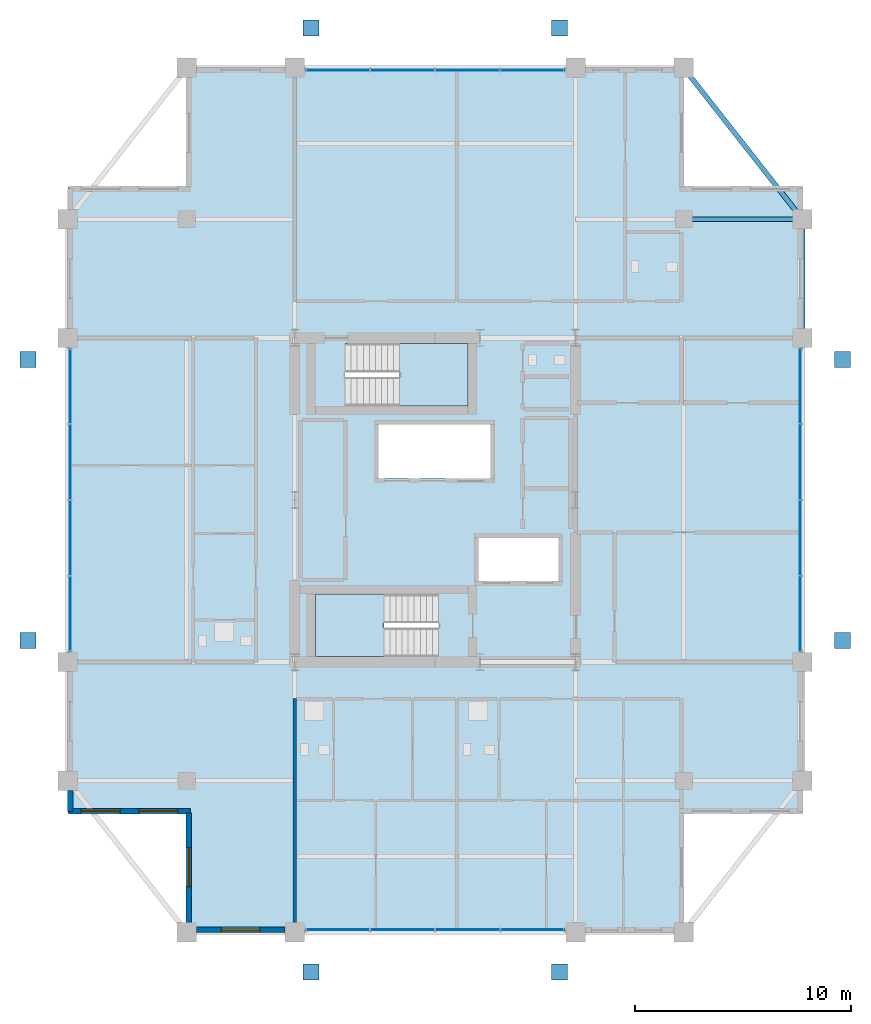
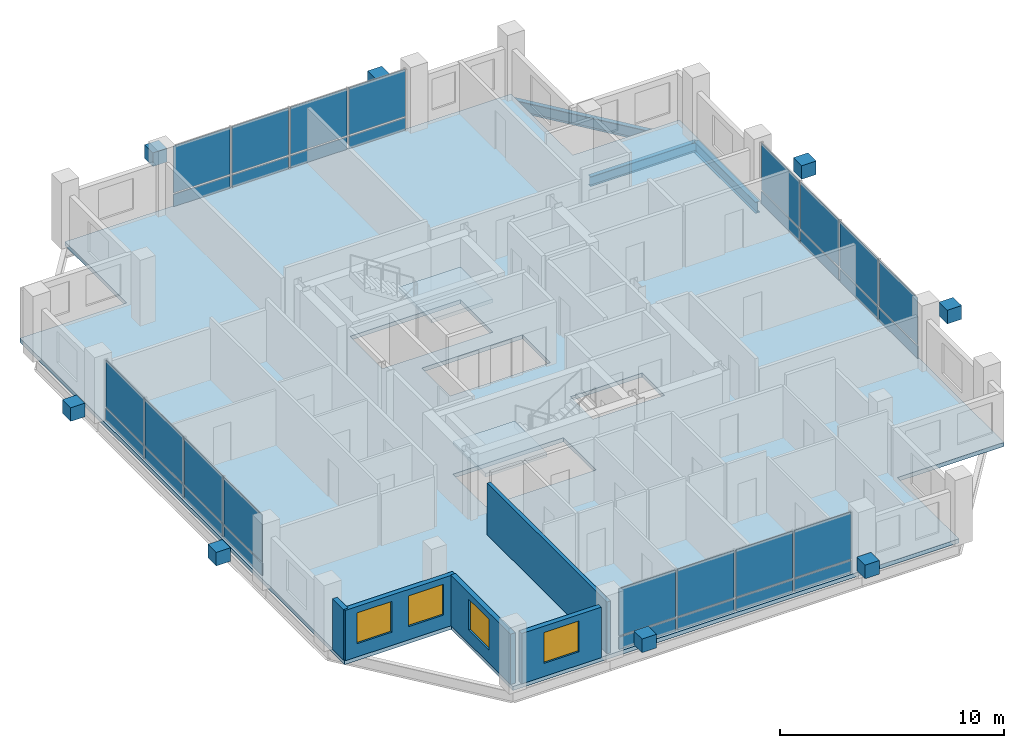
# One storey, part 15 of 21: 40 plates, 5 walls, 4 windows, 3 beams, 3 slabs, 4 openings, 6 elements without a shape of their own.
"""IFC4 building model written with IfcOpenShell, lengths in metres."""

import ifcopenshell
import ifcopenshell.guid

model = None  # the IFC model being written
_history = None  # IfcOwnerHistory: only IFC2X3 demands one
_inside = {}  # id of a spatial element -> (the spatial element, [elements in it])
_under = {}  # id of a project, library or spatial element -> (it, [spatial elements below it])
_declared = {}  # id of a project -> (the project, [libraries it declares])
_typed = {}  # id of a type object -> (the type object, [elements of that type])
_made_of = {}  # id of a material, layer set ... -> (it, [elements and type objects made of it])


def new_model(schema):
    """Start an empty IFC model of exactly this schema.

    Asked for "IFC4X3", IfcOpenShell would pick the latest addendum, in which some entities
    have other attributes; the version numbers below select the first issue.
    IFC2X3 requires an IfcOwnerHistory on every rooted entity: one is made here for all.
    """
    global model, _history
    if schema == "IFC4X3":
        model = ifcopenshell.file(schema_version=(4, 3, 0, 0))
    else:
        model = ifcopenshell.file(schema=schema)
    _inside.clear()
    _under.clear()
    _declared.clear()
    _typed.clear()
    _made_of.clear()
    _history = None
    if model.schema == "IFC2X3":
        org = make("IfcOrganization", Name="unknown")
        user = make(
            "IfcPersonAndOrganization",
            ThePerson=make("IfcPerson", FamilyName="unknown"),
            TheOrganization=org,
        )
        app = make(
            "IfcApplication",
            ApplicationDeveloper=org,
            Version="unknown",
            ApplicationFullName="unknown",
            ApplicationIdentifier="unknown",
        )
        _history = make(
            "IfcOwnerHistory",
            OwningUser=user,
            OwningApplication=app,
            ChangeAction="ADDED",
            CreationDate=0,
        )
    return model


def make(cls, **values):
    """One entity of the class cls with the attributes given. An attribute that is None is left unset."""
    return model.create_entity(
        cls, **{name: value for name, value in values.items() if value is not None}
    )


def rooted(cls, **values):
    """An entity with a GlobalId (a new one), such as an element, a storey or a relation."""
    return make(cls, GlobalId=ifcopenshell.guid.new(), OwnerHistory=_history, **values)


def si_unit(unit_type, name, prefix=None):
    """IfcSIUnit, for example si_unit("LENGTHUNIT", "METRE", prefix="MILLI")."""
    return make("IfcSIUnit", UnitType=unit_type, Prefix=prefix, Name=name)


def assignment(units):
    """IfcUnitAssignment: the units of a project."""
    return None if units is None else make("IfcUnitAssignment", Units=units)


def point(xyz):
    """IfcCartesianPoint."""
    return None if xyz is None else make("IfcCartesianPoint", Coordinates=xyz)


def direction(xyz):
    """IfcDirection."""
    return None if xyz is None else make("IfcDirection", DirectionRatios=xyz)


def frame(location, z_axis=None, x_axis=None):
    """IfcAxis2Placement3D, a coordinate frame: its origin and axes. An axis left out is left unset."""
    return make(
        "IfcAxis2Placement3D",
        Location=point(location),
        Axis=direction(z_axis),
        RefDirection=direction(x_axis),
    )


def frame_2d(location, x_axis=None):
    """IfcAxis2Placement2D, a coordinate frame in the plane: its origin and x axis."""
    return make(
        "IfcAxis2Placement2D", Location=point(location), RefDirection=direction(x_axis)
    )


def origin():
    """The frame at (0, 0, 0) with its axes left unset."""
    return frame((0.0, 0.0, 0.0))


def origin_2d():
    """The frame at (0, 0) in the plane with its x axis left unset."""
    return frame_2d((0.0, 0.0))


def place(relative_to, where):
    """IfcLocalPlacement: puts the frame where relative to a parent placement (None: the world)."""
    return make(
        "IfcLocalPlacement", PlacementRelTo=relative_to, RelativePlacement=where
    )


def context(
    kind, dimensions, precision=None, world=None, true_north=None, identifier=None
):
    """IfcGeometricRepresentationContext, for example the 3D "Model" context."""
    return make(
        "IfcGeometricRepresentationContext",
        ContextIdentifier=identifier,
        ContextType=kind,
        CoordinateSpaceDimension=dimensions,
        Precision=precision,
        WorldCoordinateSystem=world,
        TrueNorth=true_north,
    )


def subcontext(parent, identifier, kind, view, scale=None):
    """IfcGeometricRepresentationSubContext, for example "Body" below "Model"."""
    return make(
        "IfcGeometricRepresentationSubContext",
        ContextIdentifier=identifier,
        ContextType=kind,
        ParentContext=parent,
        TargetScale=scale,
        TargetView=view,
    )


def project(units=None, contexts=None):
    """IfcProject with its units and contexts."""
    return rooted(
        "IfcProject",
        Name="project",
        RepresentationContexts=contexts,
        UnitsInContext=assignment(units),
    )


def spatial(cls, under=None, at=None, **own):
    """A site, building, storey or space (cls), placed at a placement, below another one or the project."""
    s = rooted(cls, ObjectPlacement=at, **own)
    if under is not None:
        _under.setdefault(under.id(), (under, []))[1].append(s)
    return s


def polyline(points):
    """IfcPolyline through the points."""
    return make("IfcPolyline", Points=[point(p) for p in points])


def profile(cls, at=None, kind="AREA", **sizes):
    """A parametric profile (cls). Its sizes go by their IFC names, for example OverallWidth=200.0."""
    return make(cls, ProfileType=kind, Position=at, **sizes)


def rectangle(**sizes):
    """IfcRectangleProfileDef."""
    return profile("IfcRectangleProfileDef", **sizes)


def i_section(**sizes):
    """IfcIShapeProfileDef."""
    return profile("IfcIShapeProfileDef", **sizes)


def outline(outer, holes=None, kind="AREA"):
    """IfcArbitraryClosedProfileDef: a profile drawn as a closed curve; with holes, ...WithVoids."""
    if holes is None:
        return make("IfcArbitraryClosedProfileDef", ProfileType=kind, OuterCurve=outer)
    return make(
        "IfcArbitraryProfileDefWithVoids",
        ProfileType=kind,
        OuterCurve=outer,
        InnerCurves=holes,
    )


def extrude(swept, where, along, depth):
    """IfcExtrudedAreaSolid: the profile swept, set in the frame where, extruded along a direction by depth."""
    return make(
        "IfcExtrudedAreaSolid",
        SweptArea=swept,
        Position=where,
        ExtrudedDirection=direction(along),
        Depth=depth,
    )


def shape(context_of_items, identifier, shape_type, items):
    """IfcShapeRepresentation: the items that make up one representation, for example the "Body"."""
    return make(
        "IfcShapeRepresentation",
        ContextOfItems=context_of_items,
        RepresentationIdentifier=identifier,
        RepresentationType=shape_type,
        Items=items,
    )


def material(Name=None, Category=None):
    """IfcMaterial."""
    return make("IfcMaterial", Name=Name, Category=Category)


def layer(
    of_material, thickness, ventilated=None, Name=None, Category=None, Priority=None
):
    """IfcMaterialLayer: one layer of a wall or slab, of a material (None: an air gap)."""
    return make(
        "IfcMaterialLayer",
        Material=of_material,
        LayerThickness=thickness,
        IsVentilated=ventilated,
        Name=Name,
        Category=Category,
        Priority=Priority,
    )


def layer_set(layers, Name=None):
    """IfcMaterialLayerSet."""
    return make("IfcMaterialLayerSet", MaterialLayers=layers, LayerSetName=Name)


def material_profile(
    of_material, cross_section, Name=None, Category=None, Priority=None
):
    """IfcMaterialProfile: a cross section and its material."""
    return make(
        "IfcMaterialProfile",
        Name=Name,
        Material=of_material,
        Profile=cross_section,
        Priority=Priority,
        Category=Category,
    )


def profile_set(profiles, Name=None, composite=None):
    """IfcMaterialProfileSet."""
    return make(
        "IfcMaterialProfileSet",
        Name=Name,
        MaterialProfiles=profiles,
        CompositeProfile=composite,
    )


def made_of(thing, what):
    """Note that an element or type object is made of a material, layer set ...; save() writes the relation."""
    if what is not None:
        _made_of.setdefault(what.id(), (what, []))[1].append(thing)
    return thing


def type_object(cls, material=None, **own):
    """A type object (cls), such as IfcWallType, which elements share."""
    return made_of(rooted(cls, **own), material)


def element(
    cls,
    number,
    at=None,
    inside=None,
    cuts=None,
    type_object=None,
    material=None,
    context=None,
    identifier="Body",
    shape_type=None,
    held_by="IfcProductDefinitionShape",
    body=None,
    shapes=None,
    **own,
):
    """One element of the class cls, such as IfcWall. Its Tag is "e" and its number.

    at: its placement. inside: the storey or other place that contains it. cuts: it is an
    opening in that element (IfcRelVoidsElement). A single representation is given by context,
    identifier, shape_type and body (its items); several are given by shapes. held_by: the class
    of the entity that holds the representations. save() writes the other relations.
    """
    e = rooted(cls, Tag="e%d" % number, ObjectPlacement=at, **own)
    if body is not None:
        shapes = [shape(context, identifier, shape_type, body)]
    if shapes is not None:
        e.Representation = make(held_by, Representations=shapes)
    if inside is not None:
        _inside.setdefault(inside.id(), (inside, []))[1].append(e)
    if cuts is not None:
        rooted(
            "IfcRelVoidsElement", RelatingBuildingElement=cuts, RelatedOpeningElement=e
        )
    if type_object is not None:
        _typed.setdefault(type_object.id(), (type_object, []))[1].append(e)
    return made_of(e, material)


def fill(opening, filler):
    """IfcRelFillsElement: the door or window that sits in an opening."""
    return rooted(
        "IfcRelFillsElement",
        RelatingOpeningElement=opening,
        RelatedBuildingElement=filler,
    )


def aggregate(whole, parts):
    """IfcRelAggregates: a whole, such as a stair, and the parts it consists of."""
    return rooted("IfcRelAggregates", RelatingObject=whole, RelatedObjects=parts)


def save(model, path):
    """Write the relations noted so far, then the file.

    IfcRelAggregates (storeys below a building ...), IfcRelContainedInSpatialStructure (elements
    in a storey), IfcRelDefinesByType, IfcRelAssociatesMaterial and IfcRelDeclares: one each for
    every whole, place, type object, material and project.
    """
    for whole, parts in _under.values():
        aggregate(whole, parts)
    for where, things in _inside.values():
        rooted(
            "IfcRelContainedInSpatialStructure",
            RelatedElements=things,
            RelatingStructure=where,
        )
    for kind, things in _typed.values():
        rooted("IfcRelDefinesByType", RelatedObjects=things, RelatingType=kind)
    for what, things in _made_of.values():
        rooted("IfcRelAssociatesMaterial", RelatedObjects=things, RelatingMaterial=what)
    for by, libraries in _declared.values():
        rooted("IfcRelDeclares", RelatingContext=by, RelatedDefinitions=libraries)
    model.write(path)


model = new_model("IFC4")

# Units and contexts
model_context = context("Model", 3, precision=1e-05, world=origin(), true_north=direction((0.0, 1.0)))
body_context = subcontext(model_context, "Body", "Model", "MODEL_VIEW")
ifc_project = project(units=[si_unit("LENGTHUNIT", "METRE"), si_unit("AREAUNIT", "SQUARE_METRE"), si_unit("VOLUMEUNIT", "CUBIC_METRE"), si_unit("PLANEANGLEUNIT", "RADIAN"), si_unit("MASSUNIT", "GRAM", prefix="KILO")], contexts=[model_context])

# Site, building, storey
site_placement = place(None, origin())
site = spatial("IfcSite", under=ifc_project, at=site_placement, CompositionType="ELEMENT")
building_placement = place(site_placement, origin())
building = spatial("IfcBuilding", under=site, at=building_placement, Name="Barlavira Tower and Art Museum", CompositionType="ELEMENT")
storey_placement = place(building_placement, frame((0.0, 0.0, 297.89990234375)))
storey = spatial("IfcBuildingStorey", under=building, at=storey_placement, Name="L78", CompositionType="ELEMENT", Elevation=297.89990234375)

# Beams
ifc_material_1 = material(Name="Steel S355", Category="steel")
ifc_material_profile_1 = material_profile(ifc_material_1, i_section(OverallWidth=0.22998046875, OverallDepth=0.616943359375, WebThickness=0.01318359375, FlangeThickness=0.022216796875, at=origin_2d()), Name="W610x140.0")
ifc_profile_set_1 = profile_set([ifc_material_profile_1], Name="Steel S355")
beam_type_1 = type_object("IfcBeamType", Name="Upper Shaft Spandrel Edge Beam W610x140 Steel S355", PredefinedType="SPANDREL", material=ifc_profile_set_1)
beam_1_placement = place(storey_placement, frame((17.0, 7.5, -0.5283203125), z_axis=(0.0, 1.0, 0.0), x_axis=(-1.0, 0.0, 0.0)))
element("IfcBeam", 1, at=beam_1_placement, inside=storey, type_object=beam_type_1, Name="L78 Spandrel 7", PredefinedType="SPANDREL", context=body_context, shape_type="SweptSolid", body=[
    extrude(i_section(OverallWidth=0.22998046875, OverallDepth=0.616943359375, WebThickness=0.01318359375, FlangeThickness=0.022216796875, at=origin_2d()), origin(), (0.0, 0.0, 1.0), 5.5),
])
beam_2_placement = place(storey_placement, frame((17.0, 13.0, -0.5283203125), z_axis=(-0.617821551932, 0.786318338822, 0.0), x_axis=(-0.786318338822, -0.617821551932, 0.0)))
element("IfcBeam", 2, at=beam_2_placement, inside=storey, type_object=beam_type_1, Name="L78 Spandrel 8", PredefinedType="SPANDREL", context=body_context, shape_type="SweptSolid", body=[
    extrude(i_section(OverallWidth=0.22998046875, OverallDepth=0.616943359375, WebThickness=0.01318359375, FlangeThickness=0.022216796875, at=origin_2d()), origin(), (0.0, 0.0, 1.0), 8.90234375),
])
ifc_material_profile_2 = material_profile(ifc_material_1, i_section(OverallWidth=0.2109375, OverallDepth=0.5390625, WebThickness=0.01171875, FlangeThickness=0.018798828125, at=origin_2d()), Name="W530x109.0")
ifc_profile_set_2 = profile_set([ifc_material_profile_2], Name="Steel S355")
beam_type_2 = type_object("IfcBeamType", Name="Zone 3-4 Primary Floor Girder W530x109 Steel S355", PredefinedType="BEAM", material=ifc_profile_set_2)
beam_3_placement = place(storey_placement, frame((11.5, 13.0, -0.489501953125), z_axis=(1.0, 0.0, 0.0), x_axis=(0.0, 1.0, 0.0)))
element("IfcBeam", 3, at=beam_3_placement, inside=storey, type_object=beam_type_2, Name="L78 Girder I-N4", PredefinedType="BEAM", context=body_context, shape_type="SweptSolid", body=[
    extrude(i_section(OverallWidth=0.2109375, OverallDepth=0.5390625, WebThickness=0.01171875, FlangeThickness=0.018798828125, at=origin_2d()), origin(), (0.0, 0.0, 1.0), 5.5),
])

# Curtain wall, plates
ifc_material_2 = material(Name="Low-iron coastal laminated glass", Category="glass")
ifc_layer_1 = layer(ifc_material_2, 0.2099609375, Name="Low-iron coastal laminated glass")
ifc_layer_set_1 = layer_set([ifc_layer_1], Name="Low-iron coastal laminated glass")
curtain_wall_type = type_object("IfcCurtainWallType", Name="Pale-Metal Unitised Curtain Wall Zone 4", PredefinedType="NOTDEFINED", material=ifc_layer_set_1)
curtain_wall_1_placement = place(storey_placement, origin())
curtain_wall_1 = element("IfcCurtainWall", 4, at=curtain_wall_1_placement, inside=storey, type_object=curtain_wall_type, Name="L78 Curtain Wall CW4-L78-S-B2", PredefinedType="NOTDEFINED")
ifc_material_3 = material(Name="Pale anodised aluminium", Category="aluminium")
ifc_layer_2 = layer(ifc_material_3, 0.044921875, Name="Pale anodised aluminium")
ifc_layer_set_2 = layer_set([ifc_layer_2], Name="Pale anodised aluminium")
plate_type_1 = type_object("IfcPlateType", Name="Curtain Wall Pale-Metal Spandrel Panel 45", PredefinedType="CURTAIN_PANEL", material=ifc_layer_set_2)
plate_1_placement = place(storey_placement, frame((-4.5224609375, -19.89990234375, 0.0400390625), z_axis=(0.0, 0.0, 1.0), x_axis=(1.0, 0.0, 0.0)))
plate_1 = element("IfcPlate", 5, at=plate_1_placement, type_object=plate_type_1, Name="CW4-L78-S-B2 Spandrel Panel 0", PredefinedType="CURTAIN_PANEL", context=body_context, shape_type="SweptSolid", body=[
    extrude(rectangle(XDim=2.9150390625, YDim=0.044921875, at=origin_2d()), origin(), (0.0, 0.0, 1.0), 0.6640625),
])
plate_2_placement = place(storey_placement, frame((-1.507568359375, -19.89990234375, 0.0400390625), z_axis=(0.0, 0.0, 1.0), x_axis=(1.0, 0.0, 0.0)))
plate_2 = element("IfcPlate", 6, at=plate_2_placement, type_object=plate_type_1, Name="CW4-L78-S-B2 Spandrel Panel 1", PredefinedType="CURTAIN_PANEL", context=body_context, shape_type="SweptSolid", body=[
    extrude(rectangle(XDim=2.9150390625, YDim=0.044921875, at=origin_2d()), origin(), (0.0, 0.0, 1.0), 0.6640625),
])
plate_3_placement = place(storey_placement, frame((1.507568359375, -19.89990234375, 0.0400390625), z_axis=(0.0, 0.0, 1.0), x_axis=(1.0, 0.0, 0.0)))
plate_3 = element("IfcPlate", 7, at=plate_3_placement, type_object=plate_type_1, Name="CW4-L78-S-B2 Spandrel Panel 2", PredefinedType="CURTAIN_PANEL", context=body_context, shape_type="SweptSolid", body=[
    extrude(rectangle(XDim=2.9150390625, YDim=0.044921875, at=origin_2d()), origin(), (0.0, 0.0, 1.0), 0.6640625),
])
plate_4_placement = place(storey_placement, frame((4.5224609375, -19.89990234375, 0.0400390625), z_axis=(0.0, 0.0, 1.0), x_axis=(1.0, 0.0, 0.0)))
plate_4 = element("IfcPlate", 8, at=plate_4_placement, type_object=plate_type_1, Name="CW4-L78-S-B2 Spandrel Panel 3", PredefinedType="CURTAIN_PANEL", context=body_context, shape_type="SweptSolid", body=[
    extrude(rectangle(XDim=2.9150390625, YDim=0.044921875, at=origin_2d()), origin(), (0.0, 0.0, 1.0), 0.6640625),
])

curtain_wall_2_placement = place(storey_placement, origin())
curtain_wall_2 = element("IfcCurtainWall", 9, at=curtain_wall_2_placement, inside=storey, type_object=curtain_wall_type, Name="L78 Curtain Wall CW4-L78-N-B2", PredefinedType="NOTDEFINED")
plate_5_placement = place(storey_placement, frame((4.5224609375, 19.89990234375, 0.0400390625), z_axis=(0.0, 0.0, 1.0), x_axis=(-1.0, 0.0, 0.0)))
plate_5 = element("IfcPlate", 10, at=plate_5_placement, type_object=plate_type_1, Name="CW4-L78-N-B2 Spandrel Panel 0", PredefinedType="CURTAIN_PANEL", context=body_context, shape_type="SweptSolid", body=[
    extrude(rectangle(XDim=2.9150390625, YDim=0.044921875, at=origin_2d()), origin(), (0.0, 0.0, 1.0), 0.6640625),
])
plate_6_placement = place(storey_placement, frame((1.507568359375, 19.89990234375, 0.0400390625), z_axis=(0.0, 0.0, 1.0), x_axis=(-1.0, 0.0, 0.0)))
plate_6 = element("IfcPlate", 11, at=plate_6_placement, type_object=plate_type_1, Name="CW4-L78-N-B2 Spandrel Panel 1", PredefinedType="CURTAIN_PANEL", context=body_context, shape_type="SweptSolid", body=[
    extrude(rectangle(XDim=2.9150390625, YDim=0.044921875, at=origin_2d()), origin(), (0.0, 0.0, 1.0), 0.6640625),
])
plate_7_placement = place(storey_placement, frame((-1.507568359375, 19.89990234375, 0.0400390625), z_axis=(0.0, 0.0, 1.0), x_axis=(-1.0, 0.0, 0.0)))
plate_7 = element("IfcPlate", 12, at=plate_7_placement, type_object=plate_type_1, Name="CW4-L78-N-B2 Spandrel Panel 2", PredefinedType="CURTAIN_PANEL", context=body_context, shape_type="SweptSolid", body=[
    extrude(rectangle(XDim=2.9150390625, YDim=0.044921875, at=origin_2d()), origin(), (0.0, 0.0, 1.0), 0.6640625),
])
plate_8_placement = place(storey_placement, frame((-4.5224609375, 19.89990234375, 0.0400390625), z_axis=(0.0, 0.0, 1.0), x_axis=(-1.0, 0.0, 0.0)))
plate_8 = element("IfcPlate", 13, at=plate_8_placement, type_object=plate_type_1, Name="CW4-L78-N-B2 Spandrel Panel 3", PredefinedType="CURTAIN_PANEL", context=body_context, shape_type="SweptSolid", body=[
    extrude(rectangle(XDim=2.9150390625, YDim=0.044921875, at=origin_2d()), origin(), (0.0, 0.0, 1.0), 0.6640625),
])

curtain_wall_3_placement = place(storey_placement, origin())
curtain_wall_3 = element("IfcCurtainWall", 14, at=curtain_wall_3_placement, inside=storey, type_object=curtain_wall_type, Name="L78 Curtain Wall CW4-L78-W-B3", PredefinedType="NOTDEFINED")
plate_9_placement = place(storey_placement, frame((-16.89990234375, 5.2724609375, 0.0400390625), z_axis=(0.0, 0.0, 1.0), x_axis=(0.0, -1.0, 0.0)))
plate_9 = element("IfcPlate", 15, at=plate_9_placement, type_object=plate_type_1, Name="CW4-L78-W-B3 Spandrel Panel 0", PredefinedType="CURTAIN_PANEL", context=body_context, shape_type="SweptSolid", body=[
    extrude(rectangle(XDim=3.4150390625, YDim=0.044921875, at=origin_2d()), origin(), (0.0, 0.0, 1.0), 0.6640625),
])
plate_10_placement = place(storey_placement, frame((-16.89990234375, 1.757568359375, 0.0400390625), z_axis=(0.0, 0.0, 1.0), x_axis=(0.0, -1.0, 0.0)))
plate_10 = element("IfcPlate", 16, at=plate_10_placement, type_object=plate_type_1, Name="CW4-L78-W-B3 Spandrel Panel 1", PredefinedType="CURTAIN_PANEL", context=body_context, shape_type="SweptSolid", body=[
    extrude(rectangle(XDim=3.4150390625, YDim=0.044921875, at=origin_2d()), origin(), (0.0, 0.0, 1.0), 0.6640625),
])
plate_11_placement = place(storey_placement, frame((-16.89990234375, -1.757568359375, 0.0400390625), z_axis=(0.0, 0.0, 1.0), x_axis=(0.0, -1.0, 0.0)))
plate_11 = element("IfcPlate", 17, at=plate_11_placement, type_object=plate_type_1, Name="CW4-L78-W-B3 Spandrel Panel 2", PredefinedType="CURTAIN_PANEL", context=body_context, shape_type="SweptSolid", body=[
    extrude(rectangle(XDim=3.4150390625, YDim=0.044921875, at=origin_2d()), origin(), (0.0, 0.0, 1.0), 0.6640625),
])
plate_12_placement = place(storey_placement, frame((-16.89990234375, -5.2724609375, 0.0400390625), z_axis=(0.0, 0.0, 1.0), x_axis=(0.0, -1.0, 0.0)))
plate_12 = element("IfcPlate", 18, at=plate_12_placement, type_object=plate_type_1, Name="CW4-L78-W-B3 Spandrel Panel 3", PredefinedType="CURTAIN_PANEL", context=body_context, shape_type="SweptSolid", body=[
    extrude(rectangle(XDim=3.4150390625, YDim=0.044921875, at=origin_2d()), origin(), (0.0, 0.0, 1.0), 0.6640625),
])

curtain_wall_4_placement = place(storey_placement, origin())
curtain_wall_4 = element("IfcCurtainWall", 19, at=curtain_wall_4_placement, inside=storey, type_object=curtain_wall_type, Name="L78 Curtain Wall CW4-L78-E-B3", PredefinedType="NOTDEFINED")
plate_13_placement = place(storey_placement, frame((16.89990234375, -5.2724609375, 0.0400390625), z_axis=(0.0, 0.0, 1.0), x_axis=(0.0, 1.0, 0.0)))
plate_13 = element("IfcPlate", 20, at=plate_13_placement, type_object=plate_type_1, Name="CW4-L78-E-B3 Spandrel Panel 0", PredefinedType="CURTAIN_PANEL", context=body_context, shape_type="SweptSolid", body=[
    extrude(rectangle(XDim=3.4150390625, YDim=0.044921875, at=origin_2d()), origin(), (0.0, 0.0, 1.0), 0.6640625),
])
plate_14_placement = place(storey_placement, frame((16.89990234375, -1.757568359375, 0.0400390625), z_axis=(0.0, 0.0, 1.0), x_axis=(0.0, 1.0, 0.0)))
plate_14 = element("IfcPlate", 21, at=plate_14_placement, type_object=plate_type_1, Name="CW4-L78-E-B3 Spandrel Panel 1", PredefinedType="CURTAIN_PANEL", context=body_context, shape_type="SweptSolid", body=[
    extrude(rectangle(XDim=3.4150390625, YDim=0.044921875, at=origin_2d()), origin(), (0.0, 0.0, 1.0), 0.6640625),
])
plate_15_placement = place(storey_placement, frame((16.89990234375, 1.757568359375, 0.0400390625), z_axis=(0.0, 0.0, 1.0), x_axis=(0.0, 1.0, 0.0)))
plate_15 = element("IfcPlate", 22, at=plate_15_placement, type_object=plate_type_1, Name="CW4-L78-E-B3 Spandrel Panel 2", PredefinedType="CURTAIN_PANEL", context=body_context, shape_type="SweptSolid", body=[
    extrude(rectangle(XDim=3.4150390625, YDim=0.044921875, at=origin_2d()), origin(), (0.0, 0.0, 1.0), 0.6640625),
])
plate_16_placement = place(storey_placement, frame((16.89990234375, 5.2724609375, 0.0400390625), z_axis=(0.0, 0.0, 1.0), x_axis=(0.0, 1.0, 0.0)))
plate_16 = element("IfcPlate", 23, at=plate_16_placement, type_object=plate_type_1, Name="CW4-L78-E-B3 Spandrel Panel 3", PredefinedType="CURTAIN_PANEL", context=body_context, shape_type="SweptSolid", body=[
    extrude(rectangle(XDim=3.4150390625, YDim=0.044921875, at=origin_2d()), origin(), (0.0, 0.0, 1.0), 0.6640625),
])

# Plate
ifc_layer_3 = layer(ifc_material_2, 0.028076171875, Name="Low-iron coastal laminated glass")
ifc_layer_set_3 = layer_set([ifc_layer_3], Name="Low-iron coastal laminated glass")
plate_type_2 = type_object("IfcPlateType", Name="Curtain Wall Vision Glazing Panel 28", PredefinedType="CURTAIN_PANEL", material=ifc_layer_set_3)
plate_17_placement = place(storey_placement, frame((-4.5224609375, -19.89990234375, 0.7841796875), z_axis=(0.0, 0.0, 1.0), x_axis=(1.0, 0.0, 0.0)))
plate_17 = element("IfcPlate", 24, at=plate_17_placement, type_object=plate_type_2, Name="CW4-L78-S-B2 Vision Glass Panel 0", PredefinedType="CURTAIN_PANEL", context=body_context, shape_type="SweptSolid", body=[
    extrude(rectangle(XDim=2.9150390625, YDim=0.028076171875, at=origin_2d()), origin(), (0.0, 0.0, 1.0), 2.555908203125),
])

plate_18_placement = place(storey_placement, frame((-1.507568359375, -19.89990234375, 0.7841796875), z_axis=(0.0, 0.0, 1.0), x_axis=(1.0, 0.0, 0.0)))
plate_18 = element("IfcPlate", 25, at=plate_18_placement, type_object=plate_type_2, Name="CW4-L78-S-B2 Vision Glass Panel 1", PredefinedType="CURTAIN_PANEL", context=body_context, shape_type="SweptSolid", body=[
    extrude(rectangle(XDim=2.9150390625, YDim=0.028076171875, at=origin_2d()), origin(), (0.0, 0.0, 1.0), 2.555908203125),
])

plate_19_placement = place(storey_placement, frame((1.507568359375, -19.89990234375, 0.7841796875), z_axis=(0.0, 0.0, 1.0), x_axis=(1.0, 0.0, 0.0)))
plate_19 = element("IfcPlate", 26, at=plate_19_placement, type_object=plate_type_2, Name="CW4-L78-S-B2 Vision Glass Panel 2", PredefinedType="CURTAIN_PANEL", context=body_context, shape_type="SweptSolid", body=[
    extrude(rectangle(XDim=2.9150390625, YDim=0.028076171875, at=origin_2d()), origin(), (0.0, 0.0, 1.0), 2.555908203125),
])

plate_20_placement = place(storey_placement, frame((4.5224609375, -19.89990234375, 0.7841796875), z_axis=(0.0, 0.0, 1.0), x_axis=(1.0, 0.0, 0.0)))
plate_20 = element("IfcPlate", 27, at=plate_20_placement, type_object=plate_type_2, Name="CW4-L78-S-B2 Vision Glass Panel 3", PredefinedType="CURTAIN_PANEL", context=body_context, shape_type="SweptSolid", body=[
    extrude(rectangle(XDim=2.9150390625, YDim=0.028076171875, at=origin_2d()), origin(), (0.0, 0.0, 1.0), 2.555908203125),
])

aggregate(curtain_wall_1, [plate_1, plate_17, plate_2, plate_18, plate_3, plate_19, plate_4, plate_20])

plate_21_placement = place(storey_placement, frame((4.5224609375, 19.89990234375, 0.7841796875), z_axis=(0.0, 0.0, 1.0), x_axis=(-1.0, 0.0, 0.0)))
plate_21 = element("IfcPlate", 28, at=plate_21_placement, type_object=plate_type_2, Name="CW4-L78-N-B2 Vision Glass Panel 0", PredefinedType="CURTAIN_PANEL", context=body_context, shape_type="SweptSolid", body=[
    extrude(rectangle(XDim=2.9150390625, YDim=0.028076171875, at=origin_2d()), origin(), (0.0, 0.0, 1.0), 2.555908203125),
])

plate_22_placement = place(storey_placement, frame((1.507568359375, 19.89990234375, 0.7841796875), z_axis=(0.0, 0.0, 1.0), x_axis=(-1.0, 0.0, 0.0)))
plate_22 = element("IfcPlate", 29, at=plate_22_placement, type_object=plate_type_2, Name="CW4-L78-N-B2 Vision Glass Panel 1", PredefinedType="CURTAIN_PANEL", context=body_context, shape_type="SweptSolid", body=[
    extrude(rectangle(XDim=2.9150390625, YDim=0.028076171875, at=origin_2d()), origin(), (0.0, 0.0, 1.0), 2.555908203125),
])

plate_23_placement = place(storey_placement, frame((-1.507568359375, 19.89990234375, 0.7841796875), z_axis=(0.0, 0.0, 1.0), x_axis=(-1.0, 0.0, 0.0)))
plate_23 = element("IfcPlate", 30, at=plate_23_placement, type_object=plate_type_2, Name="CW4-L78-N-B2 Vision Glass Panel 2", PredefinedType="CURTAIN_PANEL", context=body_context, shape_type="SweptSolid", body=[
    extrude(rectangle(XDim=2.9150390625, YDim=0.028076171875, at=origin_2d()), origin(), (0.0, 0.0, 1.0), 2.555908203125),
])

plate_24_placement = place(storey_placement, frame((-4.5224609375, 19.89990234375, 0.7841796875), z_axis=(0.0, 0.0, 1.0), x_axis=(-1.0, 0.0, 0.0)))
plate_24 = element("IfcPlate", 31, at=plate_24_placement, type_object=plate_type_2, Name="CW4-L78-N-B2 Vision Glass Panel 3", PredefinedType="CURTAIN_PANEL", context=body_context, shape_type="SweptSolid", body=[
    extrude(rectangle(XDim=2.9150390625, YDim=0.028076171875, at=origin_2d()), origin(), (0.0, 0.0, 1.0), 2.555908203125),
])

aggregate(curtain_wall_2, [plate_5, plate_21, plate_6, plate_22, plate_7, plate_23, plate_8, plate_24])

plate_25_placement = place(storey_placement, frame((-16.89990234375, 5.2724609375, 0.7841796875), z_axis=(0.0, 0.0, 1.0), x_axis=(0.0, -1.0, 0.0)))
plate_25 = element("IfcPlate", 32, at=plate_25_placement, type_object=plate_type_2, Name="CW4-L78-W-B3 Vision Glass Panel 0", PredefinedType="CURTAIN_PANEL", context=body_context, shape_type="SweptSolid", body=[
    extrude(rectangle(XDim=3.4150390625, YDim=0.028076171875, at=origin_2d()), origin(), (0.0, 0.0, 1.0), 2.555908203125),
])

plate_26_placement = place(storey_placement, frame((-16.89990234375, 1.757568359375, 0.7841796875), z_axis=(0.0, 0.0, 1.0), x_axis=(0.0, -1.0, 0.0)))
plate_26 = element("IfcPlate", 33, at=plate_26_placement, type_object=plate_type_2, Name="CW4-L78-W-B3 Vision Glass Panel 1", PredefinedType="CURTAIN_PANEL", context=body_context, shape_type="SweptSolid", body=[
    extrude(rectangle(XDim=3.4150390625, YDim=0.028076171875, at=origin_2d()), origin(), (0.0, 0.0, 1.0), 2.555908203125),
])

plate_27_placement = place(storey_placement, frame((-16.89990234375, -1.757568359375, 0.7841796875), z_axis=(0.0, 0.0, 1.0), x_axis=(0.0, -1.0, 0.0)))
plate_27 = element("IfcPlate", 34, at=plate_27_placement, type_object=plate_type_2, Name="CW4-L78-W-B3 Vision Glass Panel 2", PredefinedType="CURTAIN_PANEL", context=body_context, shape_type="SweptSolid", body=[
    extrude(rectangle(XDim=3.4150390625, YDim=0.028076171875, at=origin_2d()), origin(), (0.0, 0.0, 1.0), 2.555908203125),
])

plate_28_placement = place(storey_placement, frame((-16.89990234375, -5.2724609375, 0.7841796875), z_axis=(0.0, 0.0, 1.0), x_axis=(0.0, -1.0, 0.0)))
plate_28 = element("IfcPlate", 35, at=plate_28_placement, type_object=plate_type_2, Name="CW4-L78-W-B3 Vision Glass Panel 3", PredefinedType="CURTAIN_PANEL", context=body_context, shape_type="SweptSolid", body=[
    extrude(rectangle(XDim=3.4150390625, YDim=0.028076171875, at=origin_2d()), origin(), (0.0, 0.0, 1.0), 2.555908203125),
])

aggregate(curtain_wall_3, [plate_9, plate_25, plate_10, plate_26, plate_11, plate_27, plate_12, plate_28])

plate_29_placement = place(storey_placement, frame((16.89990234375, -5.2724609375, 0.7841796875), z_axis=(0.0, 0.0, 1.0), x_axis=(0.0, 1.0, 0.0)))
plate_29 = element("IfcPlate", 36, at=plate_29_placement, type_object=plate_type_2, Name="CW4-L78-E-B3 Vision Glass Panel 0", PredefinedType="CURTAIN_PANEL", context=body_context, shape_type="SweptSolid", body=[
    extrude(rectangle(XDim=3.4150390625, YDim=0.028076171875, at=origin_2d()), origin(), (0.0, 0.0, 1.0), 2.555908203125),
])

plate_30_placement = place(storey_placement, frame((16.89990234375, -1.757568359375, 0.7841796875), z_axis=(0.0, 0.0, 1.0), x_axis=(0.0, 1.0, 0.0)))
plate_30 = element("IfcPlate", 37, at=plate_30_placement, type_object=plate_type_2, Name="CW4-L78-E-B3 Vision Glass Panel 1", PredefinedType="CURTAIN_PANEL", context=body_context, shape_type="SweptSolid", body=[
    extrude(rectangle(XDim=3.4150390625, YDim=0.028076171875, at=origin_2d()), origin(), (0.0, 0.0, 1.0), 2.555908203125),
])

plate_31_placement = place(storey_placement, frame((16.89990234375, 1.757568359375, 0.7841796875), z_axis=(0.0, 0.0, 1.0), x_axis=(0.0, 1.0, 0.0)))
plate_31 = element("IfcPlate", 38, at=plate_31_placement, type_object=plate_type_2, Name="CW4-L78-E-B3 Vision Glass Panel 2", PredefinedType="CURTAIN_PANEL", context=body_context, shape_type="SweptSolid", body=[
    extrude(rectangle(XDim=3.4150390625, YDim=0.028076171875, at=origin_2d()), origin(), (0.0, 0.0, 1.0), 2.555908203125),
])

plate_32_placement = place(storey_placement, frame((16.89990234375, 5.2724609375, 0.7841796875), z_axis=(0.0, 0.0, 1.0), x_axis=(0.0, 1.0, 0.0)))
plate_32 = element("IfcPlate", 39, at=plate_32_placement, type_object=plate_type_2, Name="CW4-L78-E-B3 Vision Glass Panel 3", PredefinedType="CURTAIN_PANEL", context=body_context, shape_type="SweptSolid", body=[
    extrude(rectangle(XDim=3.4150390625, YDim=0.028076171875, at=origin_2d()), origin(), (0.0, 0.0, 1.0), 2.555908203125),
])

aggregate(curtain_wall_4, [plate_13, plate_29, plate_14, plate_30, plate_15, plate_31, plate_16, plate_32])

# Plates
ifc_layer_4 = layer(ifc_material_1, 0.739990234375, Name="Steel S355")
ifc_layer_set_4 = layer_set([ifc_layer_4], Name="Steel S355")
plate_type_3 = type_object("IfcPlateType", Name="Exoskeleton Solid Steel Node Cap Plate Assembly Type 4 Steel S355", PredefinedType="USERDEFINED", material=ifc_layer_set_4)
for number, where, z_axis, x_axis, name in (
    (40, (-5.75, -21.85009765625, 1.31005859375), (0.0, 0.0, 1.0), (1.0, 0.0, 0.0), "Exoskeleton Diamond Node S1 ND-L78-0864"),
    (41, (5.75, -21.85009765625, 1.31005859375), (0.0, 0.0, 1.0), (1.0, 0.0, 0.0), "Exoskeleton Diamond Node S2 ND-L78-0865"),
    (42, (-5.75, 21.85009765625, 1.31005859375), (0.0, 0.0, 1.0), (1.0, 0.0, 0.0), "Exoskeleton Diamond Node N1 ND-L78-0875"),
    (43, (5.75, 21.85009765625, 1.31005859375), (0.0, 0.0, 1.0), (1.0, 0.0, 0.0), "Exoskeleton Diamond Node N2 ND-L78-0876"),
    (44, (-18.85009765625, -6.5, 1.31005859375), (0.0, 0.0, 1.0), (1.0, 0.0, 0.0), "Exoskeleton Diamond Node W1 ND-L78-0886"),
    (45, (-18.85009765625, 6.5, 1.31005859375), (0.0, 0.0, 1.0), (1.0, 0.0, 0.0), "Exoskeleton Diamond Node W2 ND-L78-0887"),
    (46, (18.85009765625, -6.5, 1.31005859375), (0.0, 0.0, 1.0), (1.0, 0.0, 0.0), "Exoskeleton Diamond Node E1 ND-L78-0897"),
    (47, (18.85009765625, 6.5, 1.31005859375), (0.0, 0.0, 1.0), (1.0, 0.0, 0.0), "Exoskeleton Diamond Node E2 ND-L78-0898"),
):
    element("IfcPlate", number, at=place(storey_placement, frame(where, z_axis=z_axis, x_axis=x_axis)), inside=storey, type_object=plate_type_3, Name=name, ObjectType="FLANGE_PLATE", PredefinedType="USERDEFINED", context=body_context, shape_type="SweptSolid", body=[
        extrude(rectangle(XDim=0.739990234375, YDim=0.739990234375, at=origin_2d()), origin(), (0.0, 0.0, 1.0), 0.739990234375),
    ])

# Stair, slab
ifc_material_4 = material(Name="Concrete C45", Category="concrete")
stair_type_1 = type_object("IfcStairType", Name="Tower North Dog-Leg Exit Stair Assembly Concrete C45", PredefinedType="TWO_QUARTER_TURN_STAIR", material=ifc_material_4)
stair_1_placement = place(storey_placement, origin())
stair_1 = element("IfcStair", 48, at=stair_1_placement, inside=storey, type_object=stair_type_1, Name="L78 Tower North Exit Stair ST-T2", PredefinedType="TWO_QUARTER_TURN_STAIR")
ifc_layer_5 = layer(ifc_material_4, 0.199951171875, Name="Concrete C45")
ifc_layer_set_5 = layer_set([ifc_layer_5], Name="Concrete C45")
slab_type_1 = type_object("IfcSlabType", Name="Tower North Dog-Leg Exit Stair Half-Landing Slab 200 Concrete C45", PredefinedType="LANDING", material=ifc_layer_set_5)
slab_1_placement = place(storey_placement, frame((0.0, 0.0, 1.60009765625)))
slab_1 = element("IfcSlab", 49, at=slab_1_placement, type_object=slab_type_1, Name="ST-T2 landing 1", PredefinedType="LANDING", context=body_context, shape_type="SweptSolid", body=[
    extrude(outline(polyline([(-1.64990234375, 4.35009765625), (1.530029296875, 4.35009765625), (1.530029296875, 7.25), (-1.64990234375, 7.25), (-1.64990234375, 4.35009765625)])), origin(), (0.0, 0.0, 1.0), 0.199951171875),
])
aggregate(stair_1, [slab_1])

stair_type_2 = type_object("IfcStairType", Name="Tower South Dog-Leg Exit Stair Assembly Concrete C45", PredefinedType="TWO_QUARTER_TURN_STAIR", material=ifc_material_4)
stair_2_placement = place(storey_placement, origin())
stair_2 = element("IfcStair", 50, at=stair_2_placement, inside=storey, type_object=stair_type_2, Name="L78 Tower South Exit Stair ST-T1", PredefinedType="TWO_QUARTER_TURN_STAIR")
ifc_layer_6 = layer(ifc_material_4, 0.199951171875, Name="Concrete C45")
ifc_layer_set_6 = layer_set([ifc_layer_6], Name="Concrete C45")
slab_type_2 = type_object("IfcSlabType", Name="Tower South Dog-Leg Exit Stair Half-Landing Slab 200 Concrete C45", PredefinedType="LANDING", material=ifc_layer_set_6)
slab_2_placement = place(storey_placement, frame((0.0, 0.0, 1.60009765625)))
slab_2 = element("IfcSlab", 51, at=slab_2_placement, type_object=slab_type_2, Name="ST-T1 landing 1", PredefinedType="LANDING", context=body_context, shape_type="SweptSolid", body=[
    extrude(outline(polyline([(-2.3701171875, -4.35009765625), (-5.550048828125, -4.35009765625), (-5.550048828125, -7.25), (-2.3701171875, -7.25), (-2.3701171875, -4.35009765625)])), origin(), (0.0, 0.0, 1.0), 0.199951171875),
])
aggregate(stair_2, [slab_2])

# Slab
ifc_material_5 = material(Name="Concrete C50", Category="concrete")
ifc_layer_7 = layer(ifc_material_5, 0.18994140625, Name="Concrete C50")
ifc_layer_set_7 = layer_set([ifc_layer_7], Name="Concrete C50")
slab_type_3 = type_object("IfcSlabType", Name="Zone 4 Residential Composite Slab 190 Concrete C50", PredefinedType="FLOOR", material=ifc_layer_set_7)
slab_3_placement = place(storey_placement, frame((0.0, 0.0, -0.219970703125)))
element("IfcSlab", 52, at=slab_3_placement, inside=storey, type_object=slab_type_3, Name="L78 Tower Floor Slab", PredefinedType="FLOOR", context=body_context, shape_type="SweptSolid", body=[
    extrude(outline(polyline([(-11.5, -20.0), (11.5, -20.0), (11.5, -14.5), (17.0, -14.5), (17.0, 14.5), (11.5, 14.5), (11.5, 20.0), (-11.5, 20.0), (-11.5, 14.5), (-17.0, 14.5), (-17.0, -14.5), (-11.5, -14.5), (-11.5, -20.0)]), holes=[polyline([(0.14990234375, -4.35009765625), (-5.550048828125, -4.35009765625), (-5.550048828125, -7.25), (0.14990234375, -7.25), (0.14990234375, -4.35009765625)]), polyline([(-4.169921875, 4.35009765625), (1.530029296875, 4.35009765625), (1.530029296875, 7.25), (-4.169921875, 7.25), (-4.169921875, 4.35009765625)]), polyline([(-2.6201171875, 1.0), (2.56005859375, 1.0), (2.56005859375, 3.5), (-2.6201171875, 3.5), (-2.6201171875, 1.0)]), polyline([(2.0, -3.75), (5.699951171875, -3.75), (5.699951171875, -1.75), (2.0, -1.75), (2.0, -3.75)])]), origin(), (0.0, 0.0, 1.0), 0.219970703125),
])

# Wall
ifc_material_6 = material(Name="Gypsum acoustic stud partition", Category="gypsum")
ifc_layer_8 = layer(ifc_material_6, 0.179931640625, Name="Gypsum acoustic stud partition")
ifc_layer_set_8 = layer_set([ifc_layer_8], Name="Gypsum acoustic stud partition")
wall_type_1 = type_object("IfcWallType", Name="Inter-Tenancy Party Partition Wall 180", PredefinedType="PARTITIONING", material=ifc_layer_set_8)
wall_1_placement = place(storey_placement, frame((-6.5, -19.89990234375, 0.0), z_axis=(0.0, 0.0, 1.0), x_axis=(0.0, 1.0, 0.0)))
element("IfcWall", 53, at=wall_1_placement, inside=storey, type_object=wall_type_1, Name="L78 Partition Wall 3", PredefinedType="PARTITIONING", context=body_context, shape_type="SweptSolid", body=[
    extrude(rectangle(XDim=10.699951171875, YDim=0.179931640625, at=frame_2d((5.35009765625, 0.0))), origin(), (0.0, 0.0, 1.0), 2.826171875),
])

# Wall, opening, window
ifc_material_7 = material(Name="Precast concrete C40", Category="concrete")
ifc_layer_9 = layer(ifc_material_7, 0.25, Name="Precast concrete C40")
ifc_layer_set_9 = layer_set([ifc_layer_9], Name="Precast concrete C40")
wall_type_2 = type_object("IfcWallType", Name="Notched Corner Spandrel Wall 250 Precast Concrete C40", PredefinedType="SOLIDWALL", material=ifc_layer_set_9)
wall_2_placement = place(storey_placement, frame((-11.054931640625, -19.89990234375, 0.0), z_axis=(0.0, 0.0, 1.0), x_axis=(1.0, 0.0, 0.0)))
wall_2 = element("IfcWall", 54, at=wall_2_placement, inside=storey, type_object=wall_type_2, Name="L78 Coastal Facade Pier Wall CW4-L78-S-1", PredefinedType="SOLIDWALL", context=body_context, shape_type="SweptSolid", body=[
    extrude(rectangle(XDim=4.10986328125, YDim=0.25, at=frame_2d((2.054931640625, 0.0))), origin(), (0.0, 0.0, 1.0), 2.748046875),
])
opening_1_placement = place(wall_2_placement, frame((1.155029296875, 0.0, 0.719970703125)))
opening_1 = element("IfcOpeningElement", 55, at=opening_1_placement, cuts=wall_2, Name="Opening WN-01", PredefinedType="OPENING", context=body_context, shape_type="SweptSolid", body=[
    extrude(rectangle(XDim=1.800048828125, YDim=1.679931640625, at=frame_2d((0.89990234375, 0.83984375))), frame((0.0, 0.135009765625, 0.0), z_axis=(0.0, -1.0, 0.0), x_axis=(1.0, 0.0, 0.0)), (0.0, 0.0, 1.0), 0.27001953125),
])
window_type = type_object("IfcWindowType", Name="Recessed Notch Corner Punch Window 1800x1680", PartitioningType="SINGLE_PANEL", PredefinedType="WINDOW", material=ifc_material_2)
window_1_placement = place(opening_1_placement, origin())
window_1 = element("IfcWindow", 56, at=window_1_placement, inside=storey, type_object=window_type, Name="L78 Punched Facade Window EWP-CW4-L78-S-1-1", OverallHeight=1.679931640625, OverallWidth=1.800048828125, PartitioningType="SINGLE_PANEL", PredefinedType="WINDOW", context=body_context, shape_type="SweptSolid", body=[
    extrude(rectangle(XDim=1.800048828125, YDim=1.679931640625, at=frame_2d((0.89990234375, 0.83984375))), frame((0.0, 0.030029296875, 0.0), z_axis=(0.0, -1.0, 0.0), x_axis=(1.0, 0.0, 0.0)), (0.0, 0.0, 1.0), 0.06005859375),
])
fill(opening_1, window_1)

# Wall
wall_3_placement = place(storey_placement, frame((-16.89990234375, -13.445068359375, 0.0), z_axis=(0.0, 0.0, 1.0), x_axis=(0.0, -1.0, 0.0)))
element("IfcWall", 57, at=wall_3_placement, inside=storey, type_object=wall_type_2, Name="L78 Coastal Facade Pier Wall CW4-L78-W-5", PredefinedType="SOLIDWALL", context=body_context, shape_type="SweptSolid", body=[
    extrude(rectangle(XDim=0.97998046875, YDim=0.25, at=frame_2d((0.489990234375, 0.0))), origin(), (0.0, 0.0, 1.0), 2.748046875),
])

# Wall, openings, windows
wall_4_placement = place(storey_placement, frame((-16.97998046875, -14.39990234375, 0.0), z_axis=(0.0, 0.0, 1.0), x_axis=(1.0, 0.0, 0.0)))
wall_4 = element("IfcWall", 58, at=wall_4_placement, inside=storey, type_object=wall_type_2, Name="L78 Notch Corner Wall SW1", PredefinedType="SOLIDWALL", context=body_context, shape_type="SweptSolid", body=[
    extrude(rectangle(XDim=5.659912109375, YDim=0.25, at=frame_2d((2.830078125, 0.0))), origin(), (0.0, 0.0, 1.0), 2.748046875),
])
opening_2_placement = place(wall_4_placement, frame((0.594970703125, 0.0, 0.719970703125)))
opening_2 = element("IfcOpeningElement", 59, at=opening_2_placement, cuts=wall_4, Name="Opening WN-01", PredefinedType="OPENING", context=body_context, shape_type="SweptSolid", body=[
    extrude(rectangle(XDim=1.800048828125, YDim=1.679931640625, at=frame_2d((0.89990234375, 0.83984375))), frame((0.0, 0.135009765625, 0.0), z_axis=(0.0, -1.0, 0.0), x_axis=(1.0, 0.0, 0.0)), (0.0, 0.0, 1.0), 0.27001953125),
])
opening_3_placement = place(wall_4_placement, frame((3.264892578125, 0.0, 0.719970703125)))
opening_3 = element("IfcOpeningElement", 60, at=opening_3_placement, cuts=wall_4, Name="Opening WN-01", PredefinedType="OPENING", context=body_context, shape_type="SweptSolid", body=[
    extrude(rectangle(XDim=1.800048828125, YDim=1.679931640625, at=frame_2d((0.89990234375, 0.83984375))), frame((0.0, 0.135009765625, 0.0), z_axis=(0.0, -1.0, 0.0), x_axis=(1.0, 0.0, 0.0)), (0.0, 0.0, 1.0), 0.27001953125),
])
window_2_placement = place(opening_2_placement, origin())
window_2 = element("IfcWindow", 61, at=window_2_placement, inside=storey, type_object=window_type, Name="L78 Punched Facade Window EW-NTC-L78-SW1-1", OverallHeight=1.679931640625, OverallWidth=1.800048828125, PartitioningType="SINGLE_PANEL", PredefinedType="WINDOW", context=body_context, shape_type="SweptSolid", body=[
    extrude(rectangle(XDim=1.800048828125, YDim=1.679931640625, at=frame_2d((0.89990234375, 0.83984375))), frame((0.0, 0.030029296875, 0.0), z_axis=(0.0, -1.0, 0.0), x_axis=(1.0, 0.0, 0.0)), (0.0, 0.0, 1.0), 0.06005859375),
])
fill(opening_2, window_2)
window_3_placement = place(opening_3_placement, origin())
window_3 = element("IfcWindow", 62, at=window_3_placement, inside=storey, type_object=window_type, Name="L78 Punched Facade Window EW-NTC-L78-SW1-2", OverallHeight=1.679931640625, OverallWidth=1.800048828125, PartitioningType="SINGLE_PANEL", PredefinedType="WINDOW", context=body_context, shape_type="SweptSolid", body=[
    extrude(rectangle(XDim=1.800048828125, YDim=1.679931640625, at=frame_2d((0.89990234375, 0.83984375))), frame((0.0, 0.030029296875, 0.0), z_axis=(0.0, -1.0, 0.0), x_axis=(1.0, 0.0, 0.0)), (0.0, 0.0, 1.0), 0.06005859375),
])
fill(opening_3, window_3)

# Wall, opening, window
wall_5_placement = place(storey_placement, frame((-11.39990234375, -14.47998046875, 0.0), z_axis=(0.0, 0.0, 1.0), x_axis=(0.0, -1.0, 0.0)))
wall_5 = element("IfcWall", 63, at=wall_5_placement, inside=storey, type_object=wall_type_2, Name="L78 Notch Corner Wall SW2", PredefinedType="SOLIDWALL", context=body_context, shape_type="SweptSolid", body=[
    extrude(rectangle(XDim=5.340087890625, YDim=0.25, at=frame_2d((2.669921875, 0.0))), origin(), (0.0, 0.0, 1.0), 2.748046875),
])
opening_4_placement = place(wall_5_placement, frame((1.614990234375, 0.0, 0.719970703125)))
opening_4 = element("IfcOpeningElement", 64, at=opening_4_placement, cuts=wall_5, Name="Opening WN-01", PredefinedType="OPENING", context=body_context, shape_type="SweptSolid", body=[
    extrude(rectangle(XDim=1.800048828125, YDim=1.679931640625, at=frame_2d((0.89990234375, 0.83984375))), frame((0.0, 0.135009765625, 0.0), z_axis=(0.0, -1.0, 0.0), x_axis=(1.0, 0.0, 0.0)), (0.0, 0.0, 1.0), 0.27001953125),
])
window_4_placement = place(opening_4_placement, origin())
window_4 = element("IfcWindow", 65, at=window_4_placement, inside=storey, type_object=window_type, Name="L78 Punched Facade Window EW-NTC-L78-SW2-1", OverallHeight=1.679931640625, OverallWidth=1.800048828125, PartitioningType="SINGLE_PANEL", PredefinedType="WINDOW", context=body_context, shape_type="SweptSolid", body=[
    extrude(rectangle(XDim=1.800048828125, YDim=1.679931640625, at=frame_2d((0.89990234375, 0.83984375))), frame((0.0, 0.030029296875, 0.0), z_axis=(0.0, -1.0, 0.0), x_axis=(1.0, 0.0, 0.0)), (0.0, 0.0, 1.0), 0.06005859375),
])
fill(opening_4, window_4)

save(model, "model.ifc")
